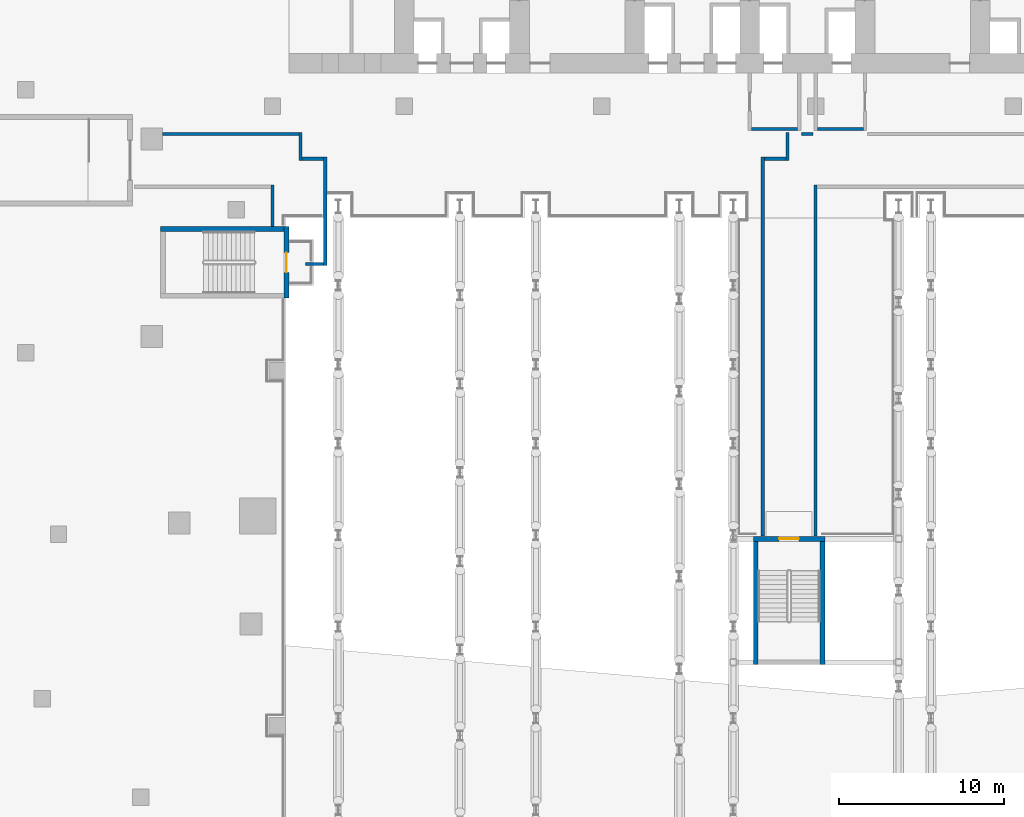
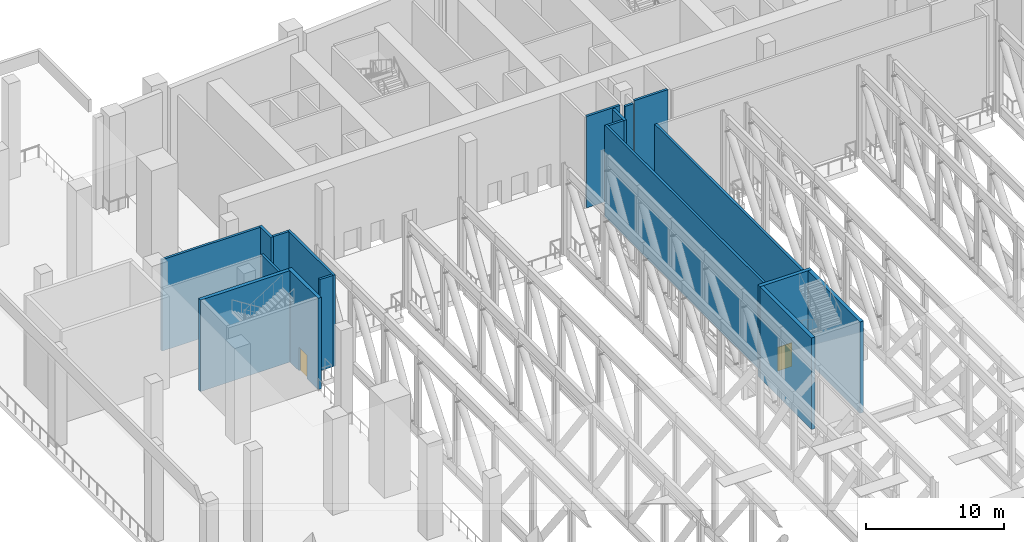
# One storey, part 10 of 33: 18 walls, 2 doors, 2 openings.
"""IFC4 building model written with IfcOpenShell, lengths in metres."""

from ifc_helpers import new_model, si_unit, direction, frame, frame_2d, origin, place, context, subcontext, project, spatial, rectangle, extrude, material, layer, layer_set, type_object, element, fill, save


model = new_model("IFC4")

# Units and contexts
model_context = context("Model", 3, precision=1e-05, world=origin(), true_north=direction((0.0, 1.0)))
body_context = subcontext(model_context, "Body", "Model", "MODEL_VIEW")
ifc_project = project(units=[si_unit("LENGTHUNIT", "METRE"), si_unit("AREAUNIT", "SQUARE_METRE"), si_unit("VOLUMEUNIT", "CUBIC_METRE"), si_unit("PLANEANGLEUNIT", "RADIAN"), si_unit("MASSUNIT", "GRAM", prefix="KILO")], contexts=[model_context])

# Site, building, storey
site_placement = place(None, origin())
site = spatial("IfcSite", under=ifc_project, at=site_placement, CompositionType="ELEMENT")
building_placement = place(site_placement, origin())
building = spatial("IfcBuilding", under=site, at=building_placement, Name="Wharfspan Tower", CompositionType="ELEMENT")
storey_placement = place(building_placement, frame((0.0, 0.0, 33.0)))
storey = spatial("IfcBuildingStorey", under=building, at=storey_placement, Name="L05", CompositionType="ELEMENT", Elevation=33.0)

# Walls
ifc_material_1 = material(Name="Concrete C30/37", Category="concrete")
ifc_layer_1 = layer(ifc_material_1, 0.199951)
ifc_layer_set_1 = layer_set([ifc_layer_1], Name="Concrete C30/37")
wall_type_1 = type_object("IfcWallType", Name="Lobby wall 200", PredefinedType="PARTITIONING", material=ifc_layer_set_1)
for number, where, z_axis, x_axis, name in (
    (1, (37.100098, 30.600098, 0.0), (0.0, 0.0, 1.0), (1.0, 0.0, 0.0), "sw:L05:FLFF1F"),
    (2, (41.100098, 30.600098, 0.0), (0.0, 0.0, 1.0), (1.0, 0.0, 0.0), "sw:L05:FLFF2F"),
):
    element("IfcWall", number, at=place(storey_placement, frame(where, z_axis=z_axis, x_axis=x_axis)), inside=storey, type_object=wall_type_1, Name=name, PredefinedType="PARTITIONING", context=body_context, shape_type="SweptSolid", body=[
        extrude(rectangle(XDim=2.799805, YDim=0.199951, at=frame_2d((1.399902, 0.0))), origin(), (0.0, 0.0, 1.0), 8.100098),
    ])
ifc_layer_2 = layer(ifc_material_1, 0.199951)
ifc_layer_set_2 = layer_set([ifc_layer_2], Name="Concrete C30/37")
wall_type_2 = type_object("IfcWallType", Name="Protected corridor wall 200", PredefinedType="PARTITIONING", material=ifc_layer_set_2)
wall_1_placement = place(storey_placement, frame((11.199951, 22.300049, 0.0), z_axis=(0.0, 0.0, 1.0), x_axis=(0.0, 1.0, 0.0)))
element("IfcWall", 3, at=wall_1_placement, inside=storey, type_object=wall_type_2, Name="iw:L05:PC3:1", PredefinedType="PARTITIONING", context=body_context, shape_type="SweptSolid", body=[
    extrude(rectangle(XDim=6.599854, YDim=0.199951, at=frame_2d((3.299805, 0.0))), origin(), (0.0, 0.0, 1.0), 8.100098),
])
wall_2_placement = place(storey_placement, frame((10.0, 22.399902, 0.0), z_axis=(0.0, 0.0, 1.0), x_axis=(1.0, 0.0, 0.0)))
element("IfcWall", 4, at=wall_2_placement, inside=storey, type_object=wall_type_2, Name="iw:L05:PC3:2", PredefinedType="PARTITIONING", context=body_context, shape_type="SweptSolid", body=[
    extrude(rectangle(XDim=1.100098, YDim=0.199951, at=frame_2d((0.550049, 0.0))), origin(), (0.0, 0.0, 1.0), 8.100098),
])
wall_3_placement = place(storey_placement, frame((8.0, 24.695068, 0.0), z_axis=(0.0, 0.0, 1.0), x_axis=(0.0, 1.0, 0.0)))
element("IfcWall", 5, at=wall_3_placement, inside=storey, type_object=wall_type_2, Name="iw:L05:PC3:3", PredefinedType="PARTITIONING", context=body_context, shape_type="SweptSolid", body=[
    extrude(rectangle(XDim=2.504883, YDim=0.199951, at=frame_2d((1.252441, 0.0))), origin(), (0.0, 0.0, 1.0), 8.100098),
])
wall_4_placement = place(storey_placement, frame((1.330078, 30.300049, 0.0), z_axis=(0.0, 0.0, 1.0), x_axis=(1.0, 0.0, 0.0)))
element("IfcWall", 6, at=wall_4_placement, inside=storey, type_object=wall_type_2, Name="iw:L05:PC3:5", PredefinedType="PARTITIONING", context=body_context, shape_type="SweptSolid", body=[
    extrude(rectangle(XDim=8.27002, YDim=0.199951, at=frame_2d((4.13501, 0.0))), origin(), (0.0, 0.0, 1.0), 8.100098),
])
wall_5_placement = place(storey_placement, frame((9.699951, 28.699951, 0.0), z_axis=(0.0, 0.0, 1.0), x_axis=(0.0, 1.0, 0.0)))
element("IfcWall", 7, at=wall_5_placement, inside=storey, type_object=wall_type_2, Name="iw:L05:PC3:6", PredefinedType="PARTITIONING", context=body_context, shape_type="SweptSolid", body=[
    extrude(rectangle(XDim=1.699951, YDim=0.199951, at=frame_2d((0.850098, 0.0))), origin(), (0.0, 0.0, 1.0), 8.100098),
])
wall_6_placement = place(storey_placement, frame((9.800049, 28.800049, 0.0), z_axis=(0.0, 0.0, 1.0), x_axis=(1.0, 0.0, 0.0)))
element("IfcWall", 8, at=wall_6_placement, inside=storey, type_object=wall_type_2, Name="iw:L05:PC3:7", PredefinedType="PARTITIONING", context=body_context, shape_type="SweptSolid", body=[
    extrude(rectangle(XDim=1.300049, YDim=0.199951, at=frame_2d((0.649902, 0.0))), origin(), (0.0, 0.0, 1.0), 8.100098),
])
wall_7_placement = place(storey_placement, frame((37.782959, 5.881104, 0.0), z_axis=(0.0, 0.0, 1.0), x_axis=(0.0, 1.0, 0.0)))
element("IfcWall", 9, at=wall_7_placement, inside=storey, type_object=wall_type_2, Name="iw:L05:PC4:1", PredefinedType="PARTITIONING", context=body_context, shape_type="SweptSolid", body=[
    extrude(rectangle(XDim=23.018799, YDim=0.199951, at=frame_2d((11.509277, 0.0))), origin(), (0.0, 0.0, 1.0), 8.100098),
])
wall_8_placement = place(storey_placement, frame((37.883057, 28.800049, 0.0), z_axis=(0.0, 0.0, 1.0), x_axis=(1.0, 0.0, 0.0)))
element("IfcWall", 10, at=wall_8_placement, inside=storey, type_object=wall_type_2, Name="iw:L05:PC4:2", PredefinedType="PARTITIONING", context=body_context, shape_type="SweptSolid", body=[
    extrude(rectangle(XDim=1.300049, YDim=0.199951, at=frame_2d((0.649902, 0.0))), origin(), (0.0, 0.0, 1.0), 8.100098),
])
wall_9_placement = place(storey_placement, frame((39.282959, 28.699951, 0.0), z_axis=(0.0, 0.0, 1.0), x_axis=(0.0, 1.0, 0.0)))
element("IfcWall", 11, at=wall_9_placement, inside=storey, type_object=wall_type_2, Name="iw:L05:PC4:3", PredefinedType="PARTITIONING", context=body_context, shape_type="SweptSolid", body=[
    extrude(rectangle(XDim=1.699951, YDim=0.199951, at=frame_2d((0.850098, 0.0))), origin(), (0.0, 0.0, 1.0), 8.100098),
])
wall_10_placement = place(storey_placement, frame((40.149902, 30.300049, 0.0), z_axis=(0.0, 0.0, 1.0), x_axis=(1.0, 0.0, 0.0)))
element("IfcWall", 12, at=wall_10_placement, inside=storey, type_object=wall_type_2, Name="iw:L05:PC4:4", PredefinedType="PARTITIONING", context=body_context, shape_type="SweptSolid", body=[
    extrude(rectangle(XDim=0.700195, YDim=0.199951, at=frame_2d((0.350098, 0.0))), origin(), (0.0, 0.0, 1.0), 8.100098),
])
wall_11_placement = place(storey_placement, frame((40.98291, 5.881104, 0.0), z_axis=(0.0, 0.0, 1.0), x_axis=(0.0, 1.0, 0.0)))
element("IfcWall", 13, at=wall_11_placement, inside=storey, type_object=wall_type_2, Name="iw:L05:PC4:9", PredefinedType="PARTITIONING", context=body_context, shape_type="SweptSolid", body=[
    extrude(rectangle(XDim=21.318848, YDim=0.199951, at=frame_2d((10.659424, 0.0))), origin(), (0.0, 0.0, 1.0), 8.100098),
])

# Wall, opening, door
ifc_material_2 = material(Name="Concrete C40/50", Category="concrete")
ifc_layer_3 = layer(ifc_material_2, 0.300049)
ifc_layer_set_3 = layer_set([ifc_layer_3], Name="Concrete C40/50")
wall_type_3 = type_object("IfcWallType", Name="Stair core wall 300", PredefinedType="SHEAR", material=ifc_layer_set_3)
wall_12_placement = place(storey_placement, frame((8.850098, 20.324951, 0.0), z_axis=(0.0, 0.0, 1.0), x_axis=(0.0, 1.0, 0.0)))
wall_12 = element("IfcWall", 14, at=wall_12_placement, inside=storey, type_object=wall_type_3, Name="ST3 stair enclosure wall L05", PredefinedType="SHEAR", context=body_context, shape_type="SweptSolid", body=[
    extrude(rectangle(XDim=4.350098, YDim=0.300049, at=frame_2d((2.175049, 0.0))), origin(), (0.0, 0.0, 1.0), 8.100098),
])
opening_1_placement = place(wall_12_placement, frame((1.574951, 0.0, 0.0)))
opening_1 = element("IfcOpeningElement", 15, at=opening_1_placement, cuts=wall_12, Name="Opening SD3.L05", PredefinedType="OPENING", context=body_context, shape_type="SweptSolid", body=[
    extrude(rectangle(XDim=1.199951, YDim=2.100098, at=frame_2d((0.600098, 1.050049))), frame((0.0, 0.159912, 0.0), z_axis=(0.0, -1.0, 0.0), x_axis=(1.0, 0.0, 0.0)), (0.0, 0.0, 1.0), 0.320068),
])
ifc_material_3 = material(Name="Steel door leaf", Category="steel")
door_type = type_object("IfcDoorType", Name="Stair door 1200x2100", OperationType="SINGLE_SWING_LEFT", PredefinedType="DOOR", material=ifc_material_3)
door_1_placement = place(opening_1_placement, origin())
door_1 = element("IfcDoor", 16, at=door_1_placement, inside=storey, type_object=door_type, Name="sd:L05:ST3z1", OperationType="SINGLE_SWING_RIGHT", OverallHeight=2.100098, OverallWidth=1.199951, PredefinedType="DOOR", context=body_context, shape_type="SweptSolid", body=[
    extrude(rectangle(XDim=1.199951, YDim=2.100098, at=frame_2d((0.600098, 1.050049))), frame((0.0, 0.024902, 0.0), z_axis=(0.0, -1.0, 0.0), x_axis=(1.0, 0.0, 0.0)), (0.0, 0.0, 1.0), 0.050049),
])
fill(opening_1, door_1)

wall_13_placement = place(storey_placement, frame((37.208252, 5.710693, 0.0), z_axis=(0.0, 0.0, 1.0), x_axis=(1.0, 0.0, 0.0)))
wall_13 = element("IfcWall", 17, at=wall_13_placement, inside=storey, type_object=wall_type_3, Name="ST4 stair enclosure wall L05", PredefinedType="SHEAR", context=body_context, shape_type="SweptSolid", body=[
    extrude(rectangle(XDim=4.350098, YDim=0.300049, at=frame_2d((2.175049, 0.0))), origin(), (0.0, 0.0, 1.0), 8.100098),
])
opening_2_placement = place(wall_13_placement, frame((1.574951, 0.0, 0.0)))
opening_2 = element("IfcOpeningElement", 18, at=opening_2_placement, cuts=wall_13, Name="Opening SD4.L05", PredefinedType="OPENING", context=body_context, shape_type="SweptSolid", body=[
    extrude(rectangle(XDim=1.199951, YDim=2.100098, at=frame_2d((0.600098, 1.050049))), frame((0.0, 0.159912, 0.0), z_axis=(0.0, -1.0, 0.0), x_axis=(1.0, 0.0, 0.0)), (0.0, 0.0, 1.0), 0.320068),
])
door_2_placement = place(opening_2_placement, origin())
door_2 = element("IfcDoor", 19, at=door_2_placement, inside=storey, type_object=door_type, Name="sd:L05:ST4z1", OperationType="SINGLE_SWING_RIGHT", OverallHeight=2.100098, OverallWidth=1.199951, PredefinedType="DOOR", context=body_context, shape_type="SweptSolid", body=[
    extrude(rectangle(XDim=1.199951, YDim=2.100098, at=frame_2d((0.600098, 1.050049))), frame((0.0, 0.024902, 0.0), z_axis=(0.0, -1.0, 0.0), x_axis=(1.0, 0.0, 0.0)), (0.0, 0.0, 1.0), 0.050049),
])
fill(opening_2, door_2)

# Walls
for number, where, z_axis, x_axis, name in (
    (20, (1.199951, 24.524902, 0.0), (0.0, 0.0, 1.0), (1.0, 0.0, 0.0), "ST3 stair enclosure wall L05"),
    (21, (37.358398, -1.939453, 0.0), (0.0, 0.0, 1.0), (0.0, 1.0, 0.0), "ST4 stair enclosure wall L05"),
    (22, (41.408203, -1.939453, 0.0), (0.0, 0.0, 1.0), (0.0, 1.0, 0.0), "ST4 stair enclosure wall L05"),
):
    element("IfcWall", number, at=place(storey_placement, frame(where, z_axis=z_axis, x_axis=x_axis)), inside=storey, type_object=wall_type_3, Name=name, PredefinedType="SHEAR", context=body_context, shape_type="SweptSolid", body=[
        extrude(rectangle(XDim=7.5, YDim=0.300049, at=frame_2d((3.75, 0.0))), origin(), (0.0, 0.0, 1.0), 8.100098),
    ])

save(model, "model.ifc")
